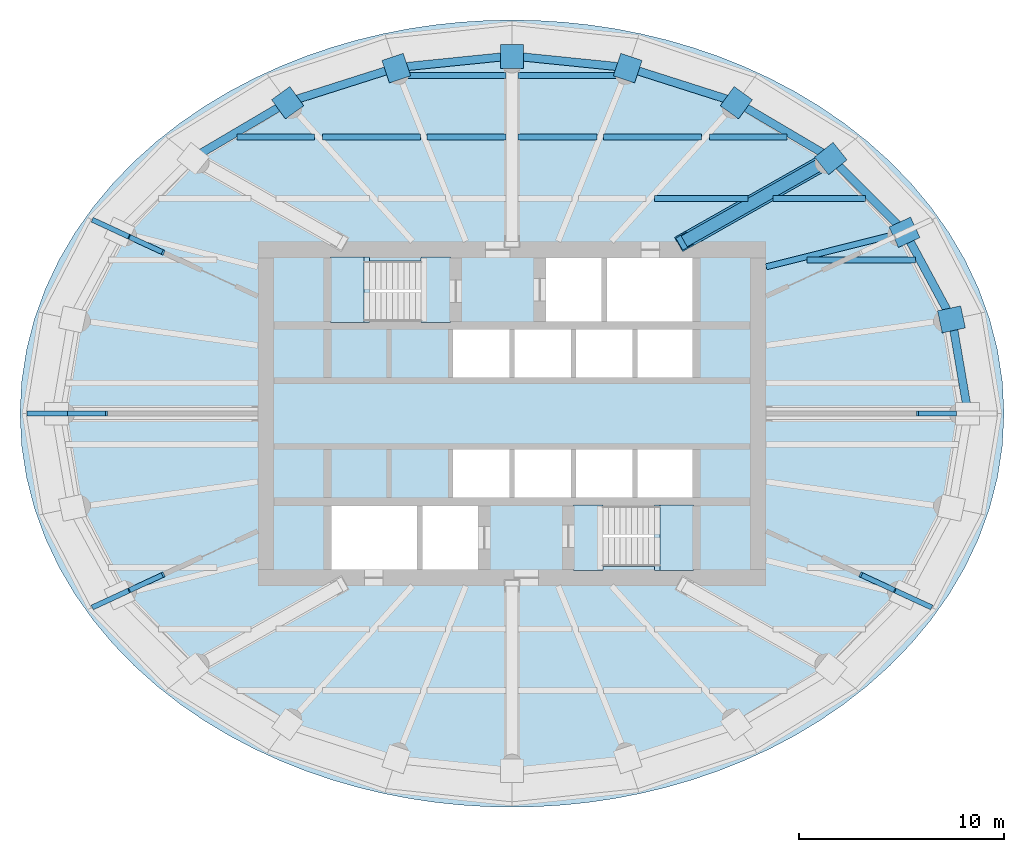
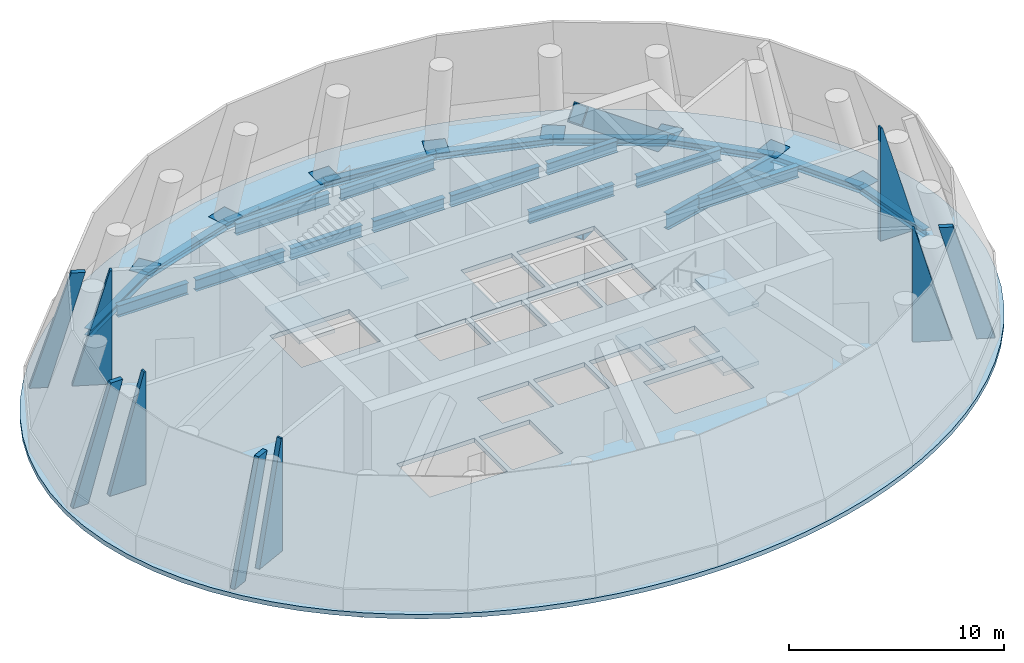
# One storey, part 3 of 6: 30 beams, 9 plates, 7 slabs, 1 member, 2 elements without a shape of their own.
"""IFC4 building model written with IfcOpenShell, lengths in metres."""

from ifc_helpers import new_model, si_unit, direction, frame, origin, origin_2d, place, context, subcontext, project, spatial, polyline, rectangle, hollow_rectangle, i_section, outline, extrude, material, layer, layer_set, material_profile, profile_set, type_object, element, aggregate, save


model = new_model("IFC4")

# Units and contexts
model_context = context("Model", 3, precision=1e-05, world=origin(), true_north=direction((0.0, 1.0)))
body_context = subcontext(model_context, "Body", "Model", "MODEL_VIEW")
ifc_project = project(units=[si_unit("LENGTHUNIT", "METRE"), si_unit("AREAUNIT", "SQUARE_METRE"), si_unit("VOLUMEUNIT", "CUBIC_METRE"), si_unit("PLANEANGLEUNIT", "RADIAN"), si_unit("MASSUNIT", "GRAM", prefix="KILO")], contexts=[model_context])

# Site, building, storey
site_placement = place(None, origin())
site = spatial("IfcSite", under=ifc_project, at=site_placement, CompositionType="ELEMENT")
building_placement = place(site_placement, origin())
building = spatial("IfcBuilding", under=site, at=building_placement, Name="Hankou Lantern Tower", CompositionType="ELEMENT")
storey_placement = place(building_placement, frame((0.0, 0.0, 186.300048828125)))
storey = spatial("IfcBuildingStorey", under=building, at=storey_placement, Name="L50", CompositionType="ELEMENT", Elevation=186.300048828125)

# Beams
ifc_material_1 = material(Name="Steel Q355B", Category="steel")
ifc_material_profile_1 = material_profile(ifc_material_1, i_section(OverallWidth=0.39990234375, OverallDepth=0.39990234375, WebThickness=0.012939453125, FlangeThickness=0.02099609375, FilletRadius=0.02197265625, at=origin_2d()), Name="HW400x400x13x21")
ifc_profile_set_1 = profile_set([ifc_material_profile_1], Name="Steel Q355B")
beam_type_1 = type_object("IfcBeamType", Name="EB19 RING BEAM HW400x400x13x21", PredefinedType="SPANDREL", material=ifc_profile_set_1)
beam_1_placement = place(storey_placement, frame((22.25, 0.0, -0.449951171875), z_axis=(-0.168680718946, 0.985670743735, 0.0), x_axis=(-0.985670743735, -0.168680718946, 0.0)))
element("IfcBeam", 1, at=beam_1_placement, inside=storey, type_object=beam_type_1, Name="Ring beam R01-R02 L50", PredefinedType="SPANDREL", context=body_context, shape_type="SweptSolid", body=[
    extrude(i_section(OverallWidth=0.39990234375, OverallDepth=0.39990234375, WebThickness=0.012939453125, FlangeThickness=0.02099609375, FilletRadius=0.02197265625, at=origin_2d()), origin(), (0.0, 0.0, 1.0), 4.667724609375),
])
beam_2_placement = place(storey_placement, frame((21.462646484375, 4.600830078125, -0.449951171875), z_axis=(-0.474051612334, 0.880497057828, 0.0), x_axis=(-0.880497057828, -0.474051612334, 0.0)))
element("IfcBeam", 2, at=beam_2_placement, inside=storey, type_object=beam_type_1, Name="Ring beam R02-R03 L50", PredefinedType="SPANDREL", context=body_context, shape_type="SweptSolid", body=[
    extrude(i_section(OverallWidth=0.39990234375, OverallDepth=0.39990234375, WebThickness=0.012939453125, FlangeThickness=0.02099609375, FilletRadius=0.02197265625, at=origin_2d()), origin(), (0.0, 0.0, 1.0), 4.831787109375),
])
beam_3_placement = place(storey_placement, frame((19.172119140625, 8.855224609375, -0.449951171875), z_axis=(-0.706147278092, 0.708064984054, 0.0), x_axis=(-0.708064984054, -0.706147278092, 0.0)))
element("IfcBeam", 3, at=beam_3_placement, inside=storey, type_object=beam_type_1, Name="Ring beam R03-R04 L50", PredefinedType="SPANDREL", context=body_context, shape_type="SweptSolid", body=[
    extrude(i_section(OverallWidth=0.39990234375, OverallDepth=0.39990234375, WebThickness=0.012939453125, FlangeThickness=0.02099609375, FilletRadius=0.02197265625, at=origin_2d()), origin(), (0.0, 0.0, 1.0), 5.09228515625),
])
beam_4_placement = place(storey_placement, frame((15.576171875, 12.4609375, -0.449951171875), z_axis=(-0.861135888339, 0.508374843806, 0.0), x_axis=(-0.508374843806, -0.861135888339, 0.0)))
element("IfcBeam", 4, at=beam_4_placement, inside=storey, type_object=beam_type_1, Name="Ring beam R04-R05 L50", PredefinedType="SPANDREL", context=body_context, shape_type="SweptSolid", body=[
    extrude(i_section(OverallWidth=0.39990234375, OverallDepth=0.39990234375, WebThickness=0.012939453125, FlangeThickness=0.02099609375, FilletRadius=0.02197265625, at=origin_2d()), origin(), (0.0, 0.0, 1.0), 5.36083984375),
])
beam_5_placement = place(storey_placement, frame((10.959716796875, 15.186279296875, -0.449951171875), z_axis=(-0.952790404271, 0.30362879562, 0.0), x_axis=(-0.30362879562, -0.952790404271, 0.0)))
element("IfcBeam", 5, at=beam_5_placement, inside=storey, type_object=beam_type_1, Name="Ring beam R05-R06 L50", PredefinedType="SPANDREL", context=body_context, shape_type="SweptSolid", body=[
    extrude(i_section(OverallWidth=0.39990234375, OverallDepth=0.39990234375, WebThickness=0.012939453125, FlangeThickness=0.02099609375, FilletRadius=0.02197265625, at=origin_2d()), origin(), (0.0, 0.0, 1.0), 5.56982421875),
])
for number, where, z_axis, x_axis, name in (
    (6, (5.65283203125, 16.87744140625, -0.449951171875), (-0.9949104636, 0.100762936734, 0.0), (-0.100762936734, -0.9949104636, 0.0), "Ring beam R06-R07 L50"),
    (7, (0.0, 17.449951171875, -0.449951171875), (-0.9949104636, -0.100762936734, 0.0), (0.100762936734, -0.9949104636, 0.0), "Ring beam R07-R08 L50"),
):
    element("IfcBeam", number, at=place(storey_placement, frame(where, z_axis=z_axis, x_axis=x_axis)), inside=storey, type_object=beam_type_1, Name=name, PredefinedType="SPANDREL", context=body_context, shape_type="SweptSolid", body=[
        extrude(i_section(OverallWidth=0.39990234375, OverallDepth=0.39990234375, WebThickness=0.012939453125, FlangeThickness=0.02099609375, FilletRadius=0.02197265625, at=origin_2d()), origin(), (0.0, 0.0, 1.0), 5.681640625),
    ])
beam_6_placement = place(storey_placement, frame((-5.65283203125, 16.87744140625, -0.449951171875), z_axis=(-0.952790404271, -0.30362879562, 0.0), x_axis=(0.30362879562, -0.952790404271, 0.0)))
element("IfcBeam", 8, at=beam_6_placement, inside=storey, type_object=beam_type_1, Name="Ring beam R08-R09 L50", PredefinedType="SPANDREL", context=body_context, shape_type="SweptSolid", body=[
    extrude(i_section(OverallWidth=0.39990234375, OverallDepth=0.39990234375, WebThickness=0.012939453125, FlangeThickness=0.02099609375, FilletRadius=0.02197265625, at=origin_2d()), origin(), (0.0, 0.0, 1.0), 5.56982421875),
])
beam_7_placement = place(storey_placement, frame((-10.959716796875, 15.186279296875, -0.449951171875), z_axis=(-0.861135888339, -0.508374843806, 0.0), x_axis=(0.508374843806, -0.861135888339, 0.0)))
element("IfcBeam", 9, at=beam_7_placement, inside=storey, type_object=beam_type_1, Name="Ring beam R09-R10 L50", PredefinedType="SPANDREL", context=body_context, shape_type="SweptSolid", body=[
    extrude(i_section(OverallWidth=0.39990234375, OverallDepth=0.39990234375, WebThickness=0.012939453125, FlangeThickness=0.02099609375, FilletRadius=0.02197265625, at=origin_2d()), origin(), (0.0, 0.0, 1.0), 5.36083984375),
])

# Member
ifc_material_2 = material(Name="Steel Q390GJ", Category="steel")
ifc_material_profile_2 = material_profile(ifc_material_2, hollow_rectangle(XDim=0.800048828125, YDim=1.0, WallThickness=0.06005859375, at=origin_2d()), Name="BOX1000x800x60")
ifc_profile_set_2 = profile_set([ifc_material_profile_2], Name="Steel Q390GJ")
member_type = type_object("IfcMemberType", Name="OD1 OUTRIGGER DIAGONAL BOX1000x800x60", PredefinedType="BRACE", material=ifc_profile_set_2)
member_placement = place(storey_placement, frame((8.39990234375, 8.39990234375, 6.02001953125), z_axis=(0.676639416663, 0.38290875882, -0.628919694585), x_axis=(-0.492505983234, 0.870309058024, 0.0)))
element("IfcMember", 10, at=member_placement, inside=storey, type_object=member_type, Name="Outrigger diagonal R04 L50", PredefinedType="BRACE", context=body_context, shape_type="SweptSolid", body=[
    extrude(hollow_rectangle(XDim=0.800048828125, YDim=1.0, WallThickness=0.06005859375, at=origin_2d()), origin(), (0.0, 0.0, 1.0), 10.605712890625),
])

# Beams
ifc_material_3 = material(Name="Steel Q390GJ", Category="steel")
ifc_material_profile_3 = material_profile(ifc_material_3, hollow_rectangle(XDim=0.60009765625, YDim=0.800048828125, WallThickness=0.050048828125, at=origin_2d()), Name="BOX800x600x50")
ifc_profile_set_3 = profile_set([ifc_material_profile_3], Name="Steel Q390GJ")
beam_type_2 = type_object("IfcBeamType", Name="OT2 OUTRIGGER CHORD BOX800x600x50", PredefinedType="BEAM", material=ifc_profile_set_3)
beam_8_placement = place(storey_placement, frame((8.39990234375, 8.39990234375, -0.650146484375), z_axis=(0.870309058024, 0.492505983234, 0.0), x_axis=(-0.492505983234, 0.870309058024, 0.0)))
element("IfcBeam", 11, at=beam_8_placement, inside=storey, type_object=beam_type_2, Name="Radial beam R04 L50", PredefinedType="BEAM", context=body_context, shape_type="SweptSolid", body=[
    extrude(hollow_rectangle(XDim=0.60009765625, YDim=0.800048828125, WallThickness=0.050048828125, at=origin_2d()), origin(), (0.0, 0.0, 1.0), 8.24560546875),
])
ifc_material_4 = material(Name="Steel Q355B", Category="steel")
ifc_material_profile_4 = material_profile(ifc_material_4, i_section(OverallWidth=0.300048828125, OverallDepth=0.89990234375, WebThickness=0.01611328125, FlangeThickness=0.028076171875, FilletRadius=0.01806640625, at=origin_2d()), Name="HN900x300x16x28")
ifc_profile_set_4 = profile_set([ifc_material_profile_4], Name="Steel Q355B")
beam_type_3 = type_object("IfcBeamType", Name="RB13 RADIAL BEAM HN900x300x16x28", PredefinedType="BEAM", material=ifc_profile_set_4)
beam_9_placement = place(storey_placement, frame((12.39990234375, 7.1591796875, -0.699951171875), z_axis=(0.970041619568, 0.242938791274, 0.0), x_axis=(-0.242938791274, 0.970041619568, 0.0)))
element("IfcBeam", 12, at=beam_9_placement, inside=storey, type_object=beam_type_3, Name="Radial beam R03 L50", PredefinedType="BEAM", context=body_context, shape_type="SweptSolid", body=[
    extrude(i_section(OverallWidth=0.300048828125, OverallDepth=0.89990234375, WebThickness=0.01611328125, FlangeThickness=0.028076171875, FilletRadius=0.01806640625, at=origin_2d()), origin(), (0.0, 0.0, 1.0), 6.9814453125),
])
ifc_material_5 = material(Name="Steel Q355B", Category="steel")
ifc_material_profile_5 = material_profile(ifc_material_5, i_section(OverallWidth=0.300048828125, OverallDepth=0.64990234375, WebThickness=0.010986328125, FlangeThickness=0.01708984375, FilletRadius=0.01806640625, at=origin_2d()), Name="HN650x300x11x17")
ifc_profile_set_5 = profile_set([ifc_material_profile_5], Name="Steel Q355B")
beam_type_4 = type_object("IfcBeamType", Name="SB8 SECONDARY BEAM HN650x300x11x17", PredefinedType="JOIST", material=ifc_profile_set_5)
beam_10_placement = place(storey_placement, frame((14.37841796875, 7.5, -0.574951171875), z_axis=(1.0, 0.0, 0.0), x_axis=(0.0, 1.0, 0.0)))
element("IfcBeam", 13, at=beam_10_placement, inside=storey, type_object=beam_type_4, Name="Floor joist J026 L50", PredefinedType="JOIST", context=body_context, shape_type="SweptSolid", body=[
    extrude(i_section(OverallWidth=0.300048828125, OverallDepth=0.64990234375, WebThickness=0.010986328125, FlangeThickness=0.01708984375, FilletRadius=0.01806640625, at=origin_2d()), origin(), (0.0, 0.0, 1.0), 5.29638671875),
])
beam_11_placement = place(storey_placement, frame((6.9423828125, 10.5, -0.574951171875), z_axis=(1.0, 0.0, 0.0), x_axis=(0.0, 1.0, 0.0)))
element("IfcBeam", 14, at=beam_11_placement, inside=storey, type_object=beam_type_4, Name="Floor joist J033 L50", PredefinedType="JOIST", context=body_context, shape_type="SweptSolid", body=[
    extrude(i_section(OverallWidth=0.300048828125, OverallDepth=0.64990234375, WebThickness=0.010986328125, FlangeThickness=0.01708984375, FilletRadius=0.01806640625, at=origin_2d()), origin(), (0.0, 0.0, 1.0), 4.5595703125),
])
beam_12_placement = place(storey_placement, frame((12.72021484375, 10.5, -0.574951171875), z_axis=(1.0, 0.0, 0.0), x_axis=(0.0, 1.0, 0.0)))
element("IfcBeam", 15, at=beam_12_placement, inside=storey, type_object=beam_type_4, Name="Floor joist J034 L50", PredefinedType="JOIST", context=body_context, shape_type="SweptSolid", body=[
    extrude(i_section(OverallWidth=0.300048828125, OverallDepth=0.64990234375, WebThickness=0.010986328125, FlangeThickness=0.01708984375, FilletRadius=0.01806640625, at=origin_2d()), origin(), (0.0, 0.0, 1.0), 4.529052734375),
])
beam_13_placement = place(storey_placement, frame((-13.422607421875, 13.5, -0.574951171875), z_axis=(1.0, 0.0, 0.0), x_axis=(0.0, 1.0, 0.0)))
element("IfcBeam", 16, at=beam_13_placement, inside=storey, type_object=beam_type_4, Name="Floor joist J035 L50", PredefinedType="JOIST", context=body_context, shape_type="SweptSolid", body=[
    extrude(i_section(OverallWidth=0.300048828125, OverallDepth=0.64990234375, WebThickness=0.010986328125, FlangeThickness=0.01708984375, FilletRadius=0.01806640625, at=origin_2d()), origin(), (0.0, 0.0, 1.0), 3.779296875),
])
beam_14_placement = place(storey_placement, frame((-9.23974609375, 13.5, -0.574951171875), z_axis=(1.0, 0.0, 0.0), x_axis=(0.0, 1.0, 0.0)))
element("IfcBeam", 17, at=beam_14_placement, inside=storey, type_object=beam_type_4, Name="Floor joist J036 L50", PredefinedType="JOIST", context=body_context, shape_type="SweptSolid", body=[
    extrude(i_section(OverallWidth=0.300048828125, OverallDepth=0.64990234375, WebThickness=0.010986328125, FlangeThickness=0.01708984375, FilletRadius=0.01806640625, at=origin_2d()), origin(), (0.0, 0.0, 1.0), 4.780517578125),
])
for number, where, z_axis, x_axis, name in (
    (18, (-4.135986328125, 13.5, -0.574951171875), (1.0, 0.0, 0.0), (0.0, 1.0, 0.0), "Floor joist J037 L50"),
    (19, (0.300048828125, 13.5, -0.574951171875), (1.0, 0.0, 0.0), (0.0, 1.0, 0.0), "Floor joist J038 L50"),
):
    element("IfcBeam", number, at=place(storey_placement, frame(where, z_axis=z_axis, x_axis=x_axis)), inside=storey, type_object=beam_type_4, Name=name, PredefinedType="JOIST", context=body_context, shape_type="SweptSolid", body=[
        extrude(i_section(OverallWidth=0.300048828125, OverallDepth=0.64990234375, WebThickness=0.010986328125, FlangeThickness=0.01708984375, FilletRadius=0.01806640625, at=origin_2d()), origin(), (0.0, 0.0, 1.0), 3.8359375),
    ])
beam_15_placement = place(storey_placement, frame((4.459228515625, 13.5, -0.574951171875), z_axis=(1.0, 0.0, 0.0), x_axis=(0.0, 1.0, 0.0)))
element("IfcBeam", 20, at=beam_15_placement, inside=storey, type_object=beam_type_4, Name="Floor joist J039 L50", PredefinedType="JOIST", context=body_context, shape_type="SweptSolid", body=[
    extrude(i_section(OverallWidth=0.300048828125, OverallDepth=0.64990234375, WebThickness=0.010986328125, FlangeThickness=0.01708984375, FilletRadius=0.01806640625, at=origin_2d()), origin(), (0.0, 0.0, 1.0), 4.780517578125),
])
beam_16_placement = place(storey_placement, frame((9.643310546875, 13.5, -0.574951171875), z_axis=(1.0, 0.0, 0.0), x_axis=(0.0, 1.0, 0.0)))
element("IfcBeam", 21, at=beam_16_placement, inside=storey, type_object=beam_type_4, Name="Floor joist J040 L50", PredefinedType="JOIST", context=body_context, shape_type="SweptSolid", body=[
    extrude(i_section(OverallWidth=0.300048828125, OverallDepth=0.64990234375, WebThickness=0.010986328125, FlangeThickness=0.01708984375, FilletRadius=0.01806640625, at=origin_2d()), origin(), (0.0, 0.0, 1.0), 3.779296875),
])
for number, where, z_axis, x_axis, name in (
    (22, (-5.33984375, 16.5, -0.574951171875), (1.0, 0.0, 0.0), (0.0, 1.0, 0.0), "Floor joist J041 L50"),
    (23, (0.300048828125, 16.5, -0.574951171875), (1.0, 0.0, 0.0), (0.0, 1.0, 0.0), "Floor joist J042 L50"),
):
    element("IfcBeam", number, at=place(storey_placement, frame(where, z_axis=z_axis, x_axis=x_axis)), inside=storey, type_object=beam_type_4, Name=name, PredefinedType="JOIST", context=body_context, shape_type="SweptSolid", body=[
        extrude(i_section(OverallWidth=0.300048828125, OverallDepth=0.64990234375, WebThickness=0.010986328125, FlangeThickness=0.01708984375, FilletRadius=0.01806640625, at=origin_2d()), origin(), (0.0, 0.0, 1.0), 5.039794921875),
    ])
ifc_material_6 = material(Name="Concrete C50", Category="concrete")
ifc_material_profile_6 = material_profile(ifc_material_6, rectangle(XDim=1.10009765625, YDim=1.050048828125, at=origin_2d()), Name="RC 1100x1050")
ifc_profile_set_6 = profile_set([ifc_material_profile_6], Name="Concrete C50")
beam_type_5 = type_object("IfcBeamType", Name="TN3 TRANSFER NODE RC 1100x1050", PredefinedType="BEAM", material=ifc_profile_set_6)
for number, where, z_axis, x_axis, name in (
    (24, (22.00048828125, 4.716064453125, -0.525146484375), (-0.977771472055, -0.209673432832, 0.0), (0.209673432832, -0.977771472055, 0.0), "Transfer node R02 L50"),
    (25, (19.671630859375, 9.0859375, -0.525146484375), (-0.907823236593, -0.419353038743, 0.0), (0.419353038743, -0.907823236593, 0.0), "Transfer node R03 L50"),
    (26, (16.005615234375, 12.804443359375, -0.525146484375), (-0.780889432822, -0.624669267458, 0.0), (0.624669267458, -0.780889432822, 0.0), "Transfer node R04 L50"),
    (27, (11.281494140625, 15.63232421875, -0.525146484375), (-0.585050594175, -0.810996795466, 0.0), (0.810996795466, -0.585050594175, 0.0), "Transfer node R05 L50"),
    (28, (5.82763671875, 17.39892578125, -0.525146484375), (-0.317685830277, -0.94819603102, 0.0), (0.94819603102, -0.317685830277, 0.0), "Transfer node R06 L50"),
    (29, (0.0, 18.0, -0.525146484375), (0.0, -1.0, 0.0), (1.0, 0.0, 0.0), "Transfer node R07 L50"),
    (30, (-5.82763671875, 17.39892578125, -0.525146484375), (0.317685830277, -0.94819603102, 0.0), (0.94819603102, 0.317685830277, 0.0), "Transfer node R08 L50"),
    (31, (-11.281494140625, 15.63232421875, -0.525146484375), (0.585050594175, -0.810996795466, 0.0), (0.810996795466, 0.585050594175, 0.0), "Transfer node R09 L50"),
):
    element("IfcBeam", number, at=place(storey_placement, frame(where, z_axis=z_axis, x_axis=x_axis)), inside=storey, type_object=beam_type_5, Name=name, PredefinedType="BEAM", context=body_context, shape_type="SweptSolid", body=[
        extrude(rectangle(XDim=1.10009765625, YDim=1.050048828125, at=origin_2d()), origin(), (0.0, 0.0, 1.0), 1.155029296875),
    ])

# Plates
ifc_material_7 = material(Name="Fire-rated calcium silicate board on steel studs", Category="steel")
ifc_layer_1 = layer(ifc_material_7, 0.25)
ifc_layer_set_1 = layer_set([ifc_layer_1], Name="Fire-rated calcium silicate board on steel studs")
plate_type = type_object("IfcPlateType", Name="FC1 FIRE CLOSURE PANEL", PredefinedType="USERDEFINED", material=ifc_layer_set_1)
plate_1_placement = place(storey_placement, frame((-16.916015625, 7.950927734375, 0.0), z_axis=(0.419358735179, 0.907820605185, -5.464504e-06), x_axis=(-0.907820605199, 0.419358735185, -1.03e-10)))
element("IfcPlate", 32, at=plate_1_placement, inside=storey, type_object=plate_type, Name="Fire closure panel R11 inner L50", ObjectType="FIRE CLOSURE", PredefinedType="USERDEFINED", context=body_context, shape_type="SweptSolid", body=[
    extrude(outline(polyline([(0.0, 0.0), (1.857217642760021, 8.470329472543003e-22), (0.10005834103310021, 6.419921875106181), (-6.626714052594562e-10, 6.419921874904149), (0.0, 0.0)])), origin(), (0.0, 0.0, -1.0), 0.25),
])
plate_2_placement = place(storey_placement, frame((-19.637451171875, 9.207763671875, 0.0), z_axis=(0.419351721599, 0.907823844969, -9.88894e-06), x_axis=(-0.907823845013, 0.419351721619, -7.9e-11)))
element("IfcPlate", 33, at=plate_2_placement, inside=storey, type_object=plate_type, Name="Fire closure panel R11 outer L50", ObjectType="FIRE CLOSURE", PredefinedType="USERDEFINED", context=body_context, shape_type="SweptSolid", body=[
    extrude(outline(polyline([(0.0, 0.0), (0.8651430585289099, 0.0), (-1.092900217208818, 6.4199218752277325), (-1.7571593020600729, 6.419921875107142), (0.0, 0.0)])), origin(), (0.0, 0.0, -1.0), 0.25),
])
plate_3_placement = place(storey_placement, frame((-16.916015625, -7.950927734375, 0.0), z_axis=(0.419358735179, -0.907820605185, -5.464504e-06), x_axis=(-0.907820605199, -0.419358735185, -1.03e-10)))
element("IfcPlate", 34, at=plate_3_placement, inside=storey, type_object=plate_type, Name="Fire closure panel R15 inner L50", ObjectType="FIRE CLOSURE", PredefinedType="USERDEFINED", context=body_context, shape_type="SweptSolid", body=[
    extrude(outline(polyline([(0.0, 0.0), (1.857217642760021, -8.470329472543003e-22), (0.10005834103310021, -6.419921875106181), (-6.626714052594562e-10, -6.419921874904149), (0.0, 0.0)])), origin(), (0.0, 0.0, -1.0), 0.25),
])
plate_4_placement = place(storey_placement, frame((-19.637451171875, -9.207763671875, 0.0), z_axis=(0.419351721599, -0.907823844969, -9.88894e-06), x_axis=(-0.907823845013, -0.419351721619, -7.9e-11)))
element("IfcPlate", 35, at=plate_4_placement, inside=storey, type_object=plate_type, Name="Fire closure panel R15 outer L50", ObjectType="FIRE CLOSURE", PredefinedType="USERDEFINED", context=body_context, shape_type="SweptSolid", body=[
    extrude(outline(polyline([(0.0, 0.0), (0.8651430585289099, 0.0), (-1.092900217208818, -6.4199218752277325), (-1.7571593020600729, -6.419921875107142), (0.0, 0.0)])), origin(), (0.0, 0.0, -1.0), 0.25),
])
plate_5_placement = place(storey_placement, frame((17.02099609375, -7.723876953125, 0.0), z_axis=(0.419358735179, 0.907820605185, 5.464504e-06), x_axis=(0.907820605199, -0.419358735185, -1.03e-10)))
element("IfcPlate", 36, at=plate_5_placement, inside=storey, type_object=plate_type, Name="Fire closure panel R23 inner L50", ObjectType="FIRE CLOSURE", PredefinedType="USERDEFINED", context=body_context, shape_type="SweptSolid", body=[
    extrude(outline(polyline([(0.0, 0.0), (1.857217642760021, -8.470329472543003e-22), (0.10005834103310021, -6.419921875106181), (-6.626714052594562e-10, -6.419921874904149), (0.0, 0.0)])), origin(), (0.0, 0.0, -1.0), 0.25),
])
plate_6_placement = place(storey_placement, frame((19.7421875, -8.98095703125, 0.0), z_axis=(0.419159396267, 0.907912660308, -4.2114252e-05), x_axis=(0.907912661113, -0.419159396639, 2.205e-09)))
element("IfcPlate", 37, at=plate_6_placement, inside=storey, type_object=plate_type, Name="Fire closure panel R23 outer L50", ObjectType="FIRE CLOSURE", PredefinedType="USERDEFINED", context=body_context, shape_type="SweptSolid", body=[
    extrude(outline(polyline([(0.0, 0.0), (0.8650407067405591, 0.0), (-1.092678533110866, -6.4199218831021), (-1.7571592599602899, -6.419921886474032), (0.0, 0.0)])), origin(), (0.0, 0.0, -1.0), 0.25),
])
plate_7_placement = place(storey_placement, frame((19.7294921875, 0.125, 0.0), z_axis=(0.0, 1.0, 0.0), x_axis=(1.0, 0.0, 0.0)))
element("IfcPlate", 38, at=plate_7_placement, inside=storey, type_object=plate_type, Name="Fire closure panel R01 inner L50", ObjectType="FIRE CLOSURE", PredefinedType="USERDEFINED", context=body_context, shape_type="SweptSolid", body=[
    extrude(outline(polyline([(0.0, 0.0), (1.9482421875, 0.0), (0.10009765625, -6.419921875), (0.0, -6.419921875), (0.0, 0.0)])), origin(), (0.0, 0.0, -1.0), 0.25),
])
plate_8_placement = place(storey_placement, frame((-19.7294921875, 0.125, 0.0), z_axis=(0.0, 1.0, 0.0), x_axis=(-1.0, 0.0, 0.0)))
element("IfcPlate", 39, at=plate_8_placement, inside=storey, type_object=plate_type, Name="Fire closure panel R13 inner L50", ObjectType="FIRE CLOSURE", PredefinedType="USERDEFINED", context=body_context, shape_type="SweptSolid", body=[
    extrude(outline(polyline([(0.0, 0.0), (1.9482421875, 0.0), (0.10009765625, 6.419921875), (0.0, 6.419921875), (0.0, 0.0)])), origin(), (0.0, 0.0, -1.0), 0.25),
])
plate_9_placement = place(storey_placement, frame((-22.822265625, 0.125, 0.0), z_axis=(0.0, 1.0, 0.0), x_axis=(-1.0, 0.0, 0.0)))
element("IfcPlate", 40, at=plate_9_placement, inside=storey, type_object=plate_type, Name="Fire closure panel R13 outer L50", ObjectType="FIRE CLOSURE", PredefinedType="USERDEFINED", context=body_context, shape_type="SweptSolid", body=[
    extrude(outline(polyline([(0.0, 0.0), (0.82763671875, 0.0), (-1.22216796875, 6.419921875), (-1.84814453125, 6.419921875), (0.0, 0.0)])), origin(), (0.0, 0.0, -1.0), 0.25),
])

# Slab
ifc_material_8 = material(Name="Concrete C50", Category="concrete")
ifc_layer_2 = layer(ifc_material_8, 0.25)
ifc_layer_set_2 = layer_set([ifc_layer_2], Name="Concrete C50")
slab_type_1 = type_object("IfcSlabType", Name="S2 HEAVY FLOOR SLAB 250", PredefinedType="FLOOR", material=ifc_layer_set_2)
slab_1_placement = place(storey_placement, frame((0.0, 0.0, -0.25)))
element("IfcSlab", 41, at=slab_1_placement, inside=storey, type_object=slab_type_1, Name="Floor slab L50", PredefinedType="FLOOR", context=body_context, shape_type="SweptSolid", body=[
    extrude(outline(polyline([(24.0, 0.0), (23.919921875, 1.56787109375), (23.681396484375, 3.11767578125), (23.290771484375, 4.6328125), (22.75732421875, 6.097900390625), (22.09326171875, 7.499755859375), (21.312744140625, 8.827880859375), (20.43017578125, 10.0751953125), (19.461181640625, 11.23583984375), (18.420166015625, 12.307861328125), (17.320556640625, 13.29052734375), (16.174560546875, 14.184814453125), (14.99267578125, 14.99267578125), (13.783935546875, 15.717529296875), (12.5556640625, 16.363037109375), (11.31396484375, 16.9326171875), (10.0634765625, 17.4306640625), (8.8076171875, 17.8603515625), (7.54931640625, 18.225341796875), (6.289794921875, 18.52880859375), (5.0302734375, 18.7734375), (3.771728515625, 18.96142578125), (2.513916015625, 19.094482421875), (1.256591796875, 19.173583984375), (0.0, 19.199951171875), (-1.256591796875, 19.173583984375), (-2.513916015625, 19.094482421875), (-3.771728515625, 18.96142578125), (-5.0302734375, 18.7734375), (-6.289794921875, 18.52880859375), (-7.54931640625, 18.225341796875), (-8.8076171875, 17.8603515625), (-10.0634765625, 17.4306640625), (-11.31396484375, 16.9326171875), (-12.5556640625, 16.363037109375), (-13.783935546875, 15.717529296875), (-14.99267578125, 14.99267578125), (-16.174560546875, 14.184814453125), (-17.320556640625, 13.29052734375), (-18.420166015625, 12.307861328125), (-19.461181640625, 11.23583984375), (-20.43017578125, 10.0751953125), (-21.312744140625, 8.827880859375), (-22.09326171875, 7.499755859375), (-22.75732421875, 6.097900390625), (-23.290771484375, 4.6328125), (-23.681396484375, 3.11767578125), (-23.919921875, 1.56787109375), (-24.0, 0.0), (-23.919921875, -1.56787109375), (-23.681396484375, -3.11767578125), (-23.290771484375, -4.6328125), (-22.75732421875, -6.097900390625), (-22.09326171875, -7.499755859375), (-21.312744140625, -8.827880859375), (-20.43017578125, -10.0751953125), (-19.461181640625, -11.23583984375), (-18.420166015625, -12.307861328125), (-17.320556640625, -13.29052734375), (-16.174560546875, -14.184814453125), (-14.99267578125, -14.99267578125), (-13.783935546875, -15.717529296875), (-12.5556640625, -16.363037109375), (-11.31396484375, -16.9326171875), (-10.0634765625, -17.4306640625), (-8.8076171875, -17.8603515625), (-7.54931640625, -18.225341796875), (-6.289794921875, -18.52880859375), (-5.0302734375, -18.7734375), (-3.771728515625, -18.96142578125), (-2.513916015625, -19.094482421875), (-1.256591796875, -19.173583984375), (0.0, -19.199951171875), (1.256591796875, -19.173583984375), (2.513916015625, -19.094482421875), (3.771728515625, -18.96142578125), (5.0302734375, -18.7734375), (6.289794921875, -18.52880859375), (7.54931640625, -18.225341796875), (8.8076171875, -17.8603515625), (10.0634765625, -17.4306640625), (11.31396484375, -16.9326171875), (12.5556640625, -16.363037109375), (13.783935546875, -15.717529296875), (14.99267578125, -14.99267578125), (16.174560546875, -14.184814453125), (17.320556640625, -13.29052734375), (18.420166015625, -12.307861328125), (19.461181640625, -11.23583984375), (20.43017578125, -10.0751953125), (21.312744140625, -8.827880859375), (22.09326171875, -7.499755859375), (22.75732421875, -6.097900390625), (23.290771484375, -4.6328125), (23.681396484375, -3.11767578125), (23.919921875, -1.56787109375), (24.0, 0.0)]), holes=[polyline([(-2.875, 4.10009765625), (-0.125, 4.10009765625), (-0.125, 1.75), (-2.875, 1.75), (-2.875, 4.10009765625)]), polyline([(0.125, 4.10009765625), (2.875, 4.10009765625), (2.875, 1.75), (0.125, 1.75), (0.125, 4.10009765625)]), polyline([(3.125, 4.10009765625), (5.875, 4.10009765625), (5.875, 1.75), (3.125, 1.75), (3.125, 4.10009765625)]), polyline([(6.125, 4.10009765625), (8.800048828125, 4.10009765625), (8.800048828125, 1.75), (6.125, 1.75), (6.125, 4.10009765625)]), polyline([(-2.875, -1.75), (-0.125, -1.75), (-0.125, -4.10009765625), (-2.875, -4.10009765625), (-2.875, -1.75)]), polyline([(0.125, -1.75), (2.875, -1.75), (2.875, -4.10009765625), (0.125, -4.10009765625), (0.125, -1.75)]), polyline([(3.125, -1.75), (5.875, -1.75), (5.875, -4.10009765625), (3.125, -4.10009765625), (3.125, -1.75)]), polyline([(6.125, -1.75), (8.800048828125, -1.75), (8.800048828125, -4.10009765625), (6.125, -4.10009765625), (6.125, -1.75)]), polyline([(1.64990234375, 7.60009765625), (4.375, 7.60009765625), (4.375, 4.5), (1.64990234375, 4.5), (1.64990234375, 7.60009765625)]), polyline([(-4.375, -4.5), (-1.64990234375, -4.5), (-1.64990234375, -7.60009765625), (-4.375, -7.60009765625), (-4.375, -4.5)]), polyline([(-8.699951171875, 7.449951171875), (-4.449951171875, 7.449951171875), (-4.449951171875, 4.5), (-8.699951171875, 4.5), (-8.699951171875, 7.449951171875)]), polyline([(4.449951171875, -4.5), (8.699951171875, -4.5), (8.699951171875, -7.449951171875), (4.449951171875, -7.449951171875), (4.449951171875, -4.5)]), polyline([(4.625, 7.60009765625), (8.800048828125, 7.60009765625), (8.800048828125, 4.5), (4.625, 4.5), (4.625, 7.60009765625)]), polyline([(-8.800048828125, -4.5), (-4.625, -4.5), (-4.625, -7.60009765625), (-8.800048828125, -7.60009765625), (-8.800048828125, -4.5)])]), origin(), (0.0, 0.0, 1.0), 0.25),
])

# Stair, slabs
ifc_material_9 = material(Name="Concrete C40", Category="concrete")
stair_type = type_object("IfcStairType", Name="ST66 CORE STAIR 6600 RISE", PredefinedType="HALF_TURN_STAIR", material=ifc_material_9)
stair_1_placement = place(storey_placement, origin())
stair_1 = element("IfcStair", 42, at=stair_1_placement, inside=storey, type_object=stair_type, Name="Stair STA L50", PredefinedType="HALF_TURN_STAIR")
ifc_material_10 = material(Name="Concrete C40", Category="concrete")
ifc_layer_3 = layer(ifc_material_10, 0.199951171875)
ifc_layer_set_3 = layer_set([ifc_layer_3], Name="Concrete C40")
slab_type_2 = type_object("IfcSlabType", Name="SL1 STAIR LANDING 200", PredefinedType="LANDING", material=ifc_layer_set_3)
slab_2_placement = place(storey_placement, frame((0.0, 0.0, 1.371337890625)))
slab_2 = element("IfcSlab", 43, at=slab_2_placement, type_object=slab_type_2, Name="STA landing 1", PredefinedType="LANDING", context=body_context, shape_type="SweptSolid", body=[
    extrude(outline(polyline([(-8.85009765625, 4.449951171875), (-6.949951171875, 4.449951171875), (-6.949951171875, 7.64990234375), (-8.85009765625, 7.64990234375), (-8.85009765625, 4.449951171875)])), origin(), (0.0, 0.0, 1.0), 0.199951171875),
])
slab_3_placement = place(storey_placement, frame((0.0, 0.0, 2.94287109375)))
slab_3 = element("IfcSlab", 44, at=slab_3_placement, type_object=slab_type_2, Name="STA landing 2", PredefinedType="LANDING", context=body_context, shape_type="SweptSolid", body=[
    extrude(outline(polyline([(-4.449951171875, 4.449951171875), (-3.0, 4.449951171875), (-3.0, 7.64990234375), (-4.449951171875, 7.64990234375), (-4.449951171875, 4.449951171875)])), origin(), (0.0, 0.0, 1.0), 0.199951171875),
])
slab_4_placement = place(storey_placement, frame((0.0, 0.0, 4.67138671875)))
slab_4 = element("IfcSlab", 45, at=slab_4_placement, type_object=slab_type_2, Name="STA landing 3", PredefinedType="LANDING", context=body_context, shape_type="SweptSolid", body=[
    extrude(outline(polyline([(-8.85009765625, 4.449951171875), (-7.22998046875, 4.449951171875), (-7.22998046875, 7.64990234375), (-8.85009765625, 7.64990234375), (-8.85009765625, 4.449951171875)])), origin(), (0.0, 0.0, 1.0), 0.199951171875),
])
aggregate(stair_1, [slab_2, slab_3, slab_4])

stair_2_placement = place(storey_placement, origin())
stair_2 = element("IfcStair", 46, at=stair_2_placement, inside=storey, type_object=stair_type, Name="Stair STB L50", PredefinedType="HALF_TURN_STAIR")
slab_5_placement = place(storey_placement, frame((0.0, 0.0, 1.371337890625)))
slab_5 = element("IfcSlab", 47, at=slab_5_placement, type_object=slab_type_2, Name="STB landing 1", PredefinedType="LANDING", context=body_context, shape_type="SweptSolid", body=[
    extrude(outline(polyline([(8.85009765625, -4.449951171875), (6.949951171875, -4.449951171875), (6.949951171875, -7.64990234375), (8.85009765625, -7.64990234375), (8.85009765625, -4.449951171875)])), origin(), (0.0, 0.0, 1.0), 0.199951171875),
])
slab_6_placement = place(storey_placement, frame((0.0, 0.0, 2.94287109375)))
slab_6 = element("IfcSlab", 48, at=slab_6_placement, type_object=slab_type_2, Name="STB landing 2", PredefinedType="LANDING", context=body_context, shape_type="SweptSolid", body=[
    extrude(outline(polyline([(4.449951171875, -4.449951171875), (3.0, -4.449951171875), (3.0, -7.64990234375), (4.449951171875, -7.64990234375), (4.449951171875, -4.449951171875)])), origin(), (0.0, 0.0, 1.0), 0.199951171875),
])
slab_7_placement = place(storey_placement, frame((0.0, 0.0, 4.67138671875)))
slab_7 = element("IfcSlab", 49, at=slab_7_placement, type_object=slab_type_2, Name="STB landing 3", PredefinedType="LANDING", context=body_context, shape_type="SweptSolid", body=[
    extrude(outline(polyline([(8.85009765625, -4.449951171875), (7.22998046875, -4.449951171875), (7.22998046875, -7.64990234375), (8.85009765625, -7.64990234375), (8.85009765625, -4.449951171875)])), origin(), (0.0, 0.0, 1.0), 0.199951171875),
])
aggregate(stair_2, [slab_5, slab_6, slab_7])

save(model, "model.ifc")
